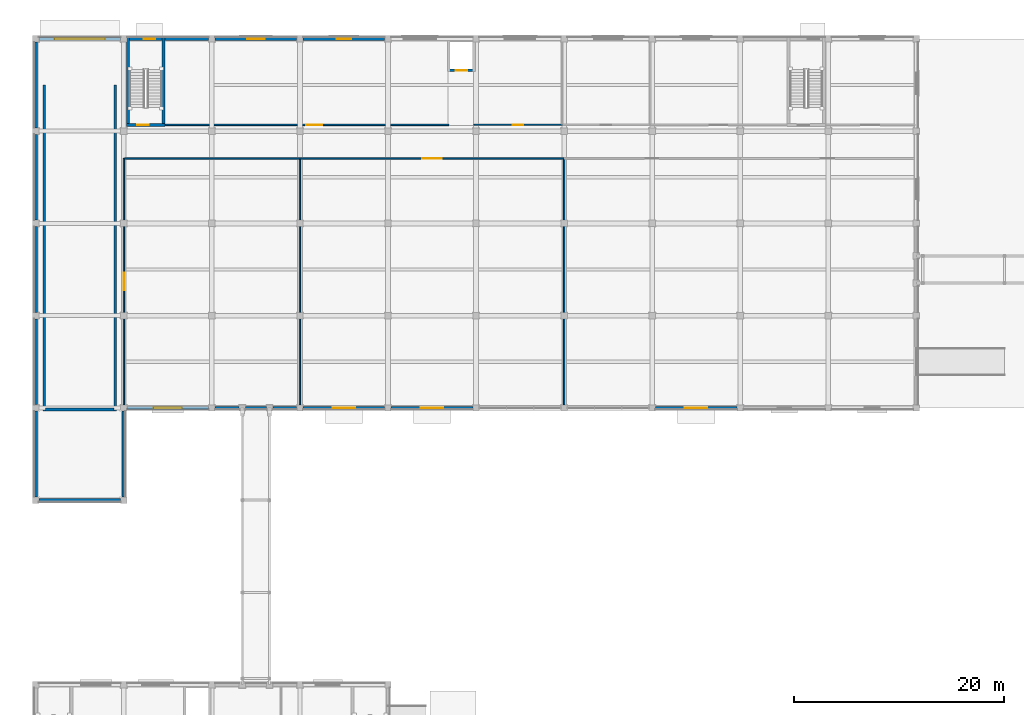
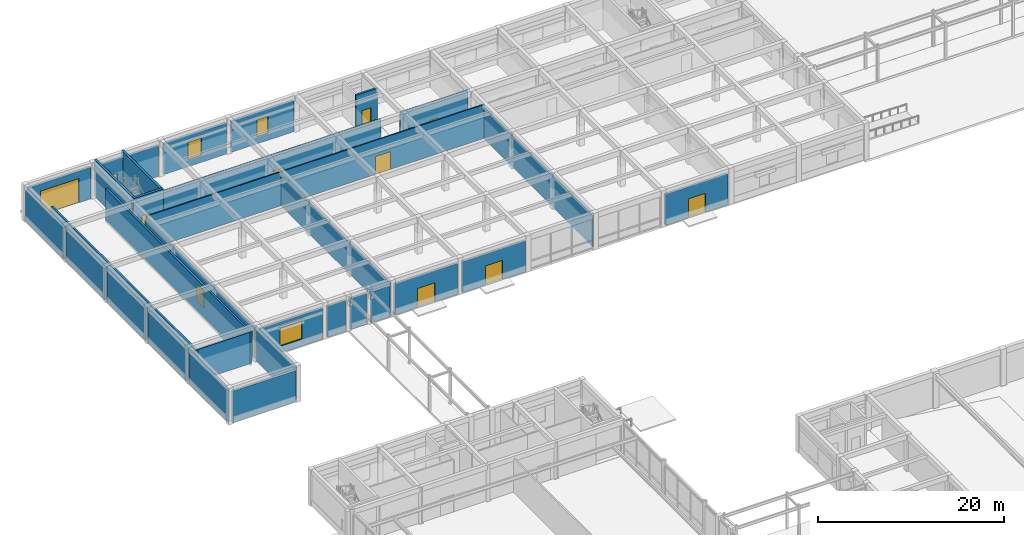
# One storey, part 35 of 58: 32 walls, 11 doors, 3 windows, 14 openings.
"""IFC4 building model written with IfcOpenShell, lengths in metres."""

from ifc_helpers import new_model, si_unit, direction, frame, frame_2d, origin, place, context, subcontext, project, spatial, rectangle, extrude, material, layer, layer_set, type_object, element, fill, save


model = new_model("IFC4")

# Units and contexts
model_context = context("Model", 3, precision=1e-05, world=origin(), true_north=direction((0.0, 1.0)))
body_context = subcontext(model_context, "Body", "Model", "MODEL_VIEW")
ifc_project = project(units=[si_unit("LENGTHUNIT", "METRE"), si_unit("AREAUNIT", "SQUARE_METRE"), si_unit("VOLUMEUNIT", "CUBIC_METRE"), si_unit("PLANEANGLEUNIT", "RADIAN"), si_unit("MASSUNIT", "GRAM", prefix="KILO")], contexts=[model_context])

# Site, building, storey
site_placement = place(None, origin())
site = spatial("IfcSite", under=ifc_project, at=site_placement, CompositionType="ELEMENT")
building_placement = place(site_placement, origin())
building = spatial("IfcBuilding", under=site, at=building_placement, Name="Kemercrest Conservatory and Botanical Centre", CompositionType="ELEMENT")
storey_placement = place(building_placement, origin())
storey = spatial("IfcBuildingStorey", under=building, at=storey_placement, Name="L00", CompositionType="ELEMENT", Elevation=0.0)

# Wall, opening, door
ifc_material_1 = material(Name="Precast concrete C40/50", Category="concrete")
ifc_layer_1 = layer(ifc_material_1, 0.300048828125)
ifc_layer_set_1 = layer_set([ifc_layer_1], Name="Precast concrete C40/50")
wall_type_1 = type_object("IfcWallType", Name="CW-EXT300", PredefinedType="SHEAR", material=ifc_layer_set_1)
wall_1_placement = place(storey_placement, frame((24.489990234375, 122.39990234375, 0.0), z_axis=(0.0, 0.0, 1.0), x_axis=(-1.0, 0.0, 0.0)))
wall_1 = element("IfcWall", 1, at=wall_1_placement, inside=storey, type_object=wall_type_1, Name="Exterior stair-core shear wall CW-EXT300 (WAL:L00:EXT-090)", PredefinedType="SHEAR", context=body_context, shape_type="SweptSolid", body=[
    extrude(rectangle(XDim=7.780029296875, YDim=0.300048828125, at=frame_2d((3.89013671875, 0.0))), origin(), (0.0, 0.0, 1.0), 4.050048828125),
])
opening_1_placement = place(wall_1_placement, frame((5.10009765625, 0.0, 0.0)))
opening_1 = element("IfcOpeningElement", 2, at=opening_1_placement, cuts=wall_1, Name="Opening ED028", PredefinedType="OPENING", context=body_context, shape_type="SweptSolid", body=[
    extrude(rectangle(XDim=1.10009765625, YDim=2.199951171875, at=frame_2d((0.550048828125, 1.10009765625))), frame((0.0, 0.16015625, 0.0), z_axis=(0.0, -1.0, 0.0), x_axis=(1.0, 0.0, 0.0)), (0.0, 0.0, 1.0), 0.320068359375),
])
ifc_material_2 = material(Name="Thermally broken bronze-anodized aluminium and laminated safety glass", Category="aluminium")
door_type_1 = type_object("IfcDoorType", Name="DT-E03", OperationType="NOTDEFINED", PredefinedType="DOOR", material=ifc_material_2)
door_1_placement = place(opening_1_placement, frame((1.10009765625, 0.0, 0.0), z_axis=(0.0, 0.0, 1.0), x_axis=(-1.0, 0.0, 0.0)))
door_1 = element("IfcDoor", 3, at=door_1_placement, inside=storey, type_object=door_type_1, Name="Exit Stair ST-V3A North Discharge Door", OperationType="SINGLE_SWING_LEFT", OverallHeight=2.199951171875, OverallWidth=1.10009765625, PredefinedType="DOOR", context=body_context, shape_type="SweptSolid", body=[
    extrude(rectangle(XDim=1.10009765625, YDim=2.199951171875, at=frame_2d((0.550048828125, 1.10009765625))), frame((0.0, 0.02490234375, 0.0), z_axis=(0.0, -1.0, 0.0), x_axis=(1.0, 0.0, 0.0)), (0.0, 0.0, 1.0), 0.050048828125),
])
fill(opening_1, door_1)

ifc_material_3 = material(Name="Concrete C50/60", Category="concrete")
ifc_layer_2 = layer(ifc_material_3, 0.300048828125)
ifc_layer_set_2 = layer_set([ifc_layer_2], Name="Concrete C50/60")
wall_type_2 = type_object("IfcWallType", Name="CW-STAIR", PredefinedType="SHEAR", material=ifc_layer_set_2)
wall_2_placement = place(storey_placement, frame((16.64990234375, 114.199951171875, 0.0), z_axis=(0.0, 0.0, 1.0), x_axis=(1.0, 0.0, 0.0)))
wall_2 = element("IfcWall", 4, at=wall_2_placement, inside=storey, type_object=wall_type_2, Name="Stair core ST-V3A shear wall S", PredefinedType="SHEAR", context=body_context, shape_type="SweptSolid", body=[
    extrude(rectangle(XDim=3.7001953125, YDim=0.300048828125, at=frame_2d((1.85009765625, 0.0))), origin(), (0.0, 0.0, 1.0), 4.800048828125),
])
opening_2_placement = place(wall_2_placement, frame((1.050048828125, 0.0, 0.0)))
opening_2 = element("IfcOpeningElement", 5, at=opening_2_placement, cuts=wall_2, Name="Opening D016", PredefinedType="OPENING", context=body_context, shape_type="SweptSolid", body=[
    extrude(rectangle(XDim=1.10009765625, YDim=2.199951171875, at=frame_2d((0.550048828125, 1.10009765625))), frame((0.0, 0.16015625, 0.0), z_axis=(0.0, -1.0, 0.0), x_axis=(1.0, 0.0, 0.0)), (0.0, 0.0, 1.0), 0.320068359375),
])
ifc_material_4 = material(Name="Powder-coated galvanized steel and fire-rated vision glass", Category="steel")
door_type_2 = type_object("IfcDoorType", Name="DT-FD90", OperationType="NOTDEFINED", PredefinedType="DOOR", material=ifc_material_4)
door_2_placement = place(opening_2_placement, origin())
door_2 = element("IfcDoor", 6, at=door_2_placement, inside=storey, type_object=door_type_2, Name="Exit stair ST-V3A fire door D016", OperationType="SINGLE_SWING_RIGHT", OverallHeight=2.199951171875, OverallWidth=1.10009765625, PredefinedType="DOOR", context=body_context, shape_type="SweptSolid", body=[
    extrude(rectangle(XDim=1.10009765625, YDim=2.199951171875, at=frame_2d((0.550048828125, 1.10009765625))), frame((0.0, 0.02490234375, 0.0), z_axis=(0.0, -1.0, 0.0), x_axis=(1.0, 0.0, 0.0)), (0.0, 0.0, 1.0), 0.050048828125),
])
fill(opening_2, door_2)

# Walls
for number, where, z_axis, x_axis, name in (
    (7, (16.800048828125, 114.050048828125, 0.0), (0.0, 0.0, 1.0), (0.0, 1.0, 0.0), "Stair core ST-V3A shear wall W"),
    (8, (20.199951171875, 114.050048828125, 0.0), (0.0, 0.0, 1.0), (0.0, 1.0, 0.0), "Stair core ST-V3A shear wall E"),
):
    element("IfcWall", number, at=place(storey_placement, frame(where, z_axis=z_axis, x_axis=x_axis)), inside=storey, type_object=wall_type_2, Name=name, PredefinedType="SHEAR", context=body_context, shape_type="SweptSolid", body=[
        extrude(rectangle(XDim=8.5, YDim=0.300048828125, at=frame_2d((4.25, 0.0))), origin(), (0.0, 0.0, 1.0), 4.800048828125),
    ])
ifc_layer_3 = layer(ifc_material_1, 0.300048828125)
ifc_layer_set_3 = layer_set([ifc_layer_3], Name="Precast concrete C40/50")
wall_type_3 = type_object("IfcWallType", Name="W-EXT300", PredefinedType="SOLIDWALL", material=ifc_layer_set_3)
wall_3_placement = place(storey_placement, frame((8.31005859375, 78.39990234375, 0.0), z_axis=(0.0, 0.0, 1.0), x_axis=(1.0, 0.0, 0.0)))
element("IfcWall", 9, at=wall_3_placement, inside=storey, type_object=wall_type_3, Name="Exterior almasik wall W-EXT300 (WAL:L00:RMP-068)", PredefinedType="SOLIDWALL", context=body_context, shape_type="SweptSolid", body=[
    extrude(rectangle(XDim=7.780029296875, YDim=0.300048828125, at=frame_2d((3.89013671875, 0.0))), origin(), (0.0, 0.0, 1.0), 4.14990234375),
])
for number, where, z_axis, x_axis, name in (
    (10, (16.39990234375, 78.7099609375, 0.0), (0.0, 0.0, 1.0), (0.0, 1.0, 0.0), "Exterior almasik wall W-EXT300 (WAL:L00:RMP-069)"),
    (11, (8.0, 86.889892578125, 0.0), (0.0, 0.0, 1.0), (0.0, -1.0, 0.0), "Exterior almasik wall W-EXT300 (WAL:L00:RMP-070)"),
):
    element("IfcWall", number, at=place(storey_placement, frame(where, z_axis=z_axis, x_axis=x_axis)), inside=storey, type_object=wall_type_3, Name=name, PredefinedType="SOLIDWALL", context=body_context, shape_type="SweptSolid", body=[
        extrude(rectangle(XDim=8.179931640625, YDim=0.300048828125, at=frame_2d((4.08984375, 0.0))), origin(), (0.0, 0.0, 1.0), 4.14990234375),
    ])

# Wall, opening, window
wall_4_placement = place(storey_placement, frame((16.7099609375, 87.199951171875, 0.0), z_axis=(0.0, 0.0, 1.0), x_axis=(1.0, 0.0, 0.0)))
wall_4 = element("IfcWall", 12, at=wall_4_placement, inside=storey, type_object=wall_type_3, Name="Exterior almasik wall W-EXT300 (WAL:L00:EXT-071)", PredefinedType="SOLIDWALL", context=body_context, shape_type="SweptSolid", body=[
    extrude(rectangle(XDim=7.780029296875, YDim=0.300048828125, at=frame_2d((3.89013671875, 0.0))), origin(), (0.0, 0.0, 1.0), 4.050048828125),
])
opening_3_placement = place(wall_4_placement, frame((2.5400390625, 0.0, 0.89990234375)))
opening_3 = element("IfcOpeningElement", 13, at=opening_3_placement, cuts=wall_4, Name="Opening WT-18", PredefinedType="OPENING", context=body_context, shape_type="SweptSolid", body=[
    extrude(rectangle(XDim=2.699951171875, YDim=2.35009765625, at=frame_2d((1.35009765625, 1.175048828125))), frame((0.0, 0.16015625, 0.0), z_axis=(0.0, -1.0, 0.0), x_axis=(1.0, 0.0, 0.0)), (0.0, 0.0, 1.0), 0.320068359375),
])
ifc_material_5 = material(Name="Thermally broken bronze-anodized aluminium and triple glazing", Category="aluminium")
window_type_1 = type_object("IfcWindowType", Name="WT-18", PartitioningType="SINGLE_PANEL", PredefinedType="WINDOW", material=ifc_material_5)
window_1_placement = place(opening_3_placement, origin())
window_1 = element("IfcWindow", 14, at=window_1_placement, inside=storey, type_object=window_type_1, Name="Exterior window WT-18 (WIN:L00:EXT-071)", OverallHeight=2.35009765625, OverallWidth=2.699951171875, PartitioningType="SINGLE_PANEL", PredefinedType="WINDOW", context=body_context, shape_type="SweptSolid", body=[
    extrude(rectangle(XDim=2.699951171875, YDim=2.35009765625, at=frame_2d((1.35009765625, 1.175048828125))), frame((0.0, 0.030029296875, 0.0), z_axis=(0.0, -1.0, 0.0), x_axis=(1.0, 0.0, 0.0)), (0.0, 0.0, 1.0), 0.06005859375),
])
fill(opening_3, window_1)

# Walls
wall_5_placement = place(storey_placement, frame((25.110107421875, 87.199951171875, 0.0), z_axis=(0.0, 0.0, 1.0), x_axis=(1.0, 0.0, 0.0)))
element("IfcWall", 15, at=wall_5_placement, inside=storey, type_object=wall_type_3, Name="Exterior almasik wall W-EXT300 (WAL:L00:EXT-072-S1)", PredefinedType="SOLIDWALL", context=body_context, shape_type="SweptSolid", body=[
    extrude(rectangle(XDim=2.27978515625, YDim=0.300048828125, at=frame_2d((1.139892578125, 0.0))), origin(), (0.0, 0.0, 1.0), 4.050048828125),
])
wall_6_placement = place(storey_placement, frame((28.010009765625, 87.199951171875, 0.0), z_axis=(0.0, 0.0, 1.0), x_axis=(1.0, 0.0, 0.0)))
element("IfcWall", 16, at=wall_6_placement, inside=storey, type_object=wall_type_3, Name="Exterior almasik wall W-EXT300 (WAL:L00:EXT-072-S2)", PredefinedType="SOLIDWALL", context=body_context, shape_type="SweptSolid", body=[
    extrude(rectangle(XDim=1.97998046875, YDim=0.300048828125, at=frame_2d((0.989990234375, 0.0))), origin(), (0.0, 0.0, 1.0), 4.050048828125),
])
wall_7_placement = place(storey_placement, frame((30.610107421875, 87.199951171875, 0.0), z_axis=(0.0, 0.0, 1.0), x_axis=(1.0, 0.0, 0.0)))
element("IfcWall", 17, at=wall_7_placement, inside=storey, type_object=wall_type_3, Name="Exterior almasik wall W-EXT300 (WAL:L00:EXT-072-S3)", PredefinedType="SOLIDWALL", context=body_context, shape_type="SweptSolid", body=[
    extrude(rectangle(XDim=2.27978515625, YDim=0.300048828125, at=frame_2d((1.139892578125, 0.0))), origin(), (0.0, 0.0, 1.0), 4.050048828125),
])

# Wall, opening, door
wall_8_placement = place(storey_placement, frame((33.510009765625, 87.199951171875, 0.0), z_axis=(0.0, 0.0, 1.0), x_axis=(1.0, 0.0, 0.0)))
wall_8 = element("IfcWall", 18, at=wall_8_placement, inside=storey, type_object=wall_type_3, Name="Exterior almasik wall W-EXT300 (WAL:L00:EXT-073)", PredefinedType="SOLIDWALL", context=body_context, shape_type="SweptSolid", body=[
    extrude(rectangle(XDim=7.780029296875, YDim=0.300048828125, at=frame_2d((3.89013671875, 0.0))), origin(), (0.0, 0.0, 1.0), 4.050048828125),
])
opening_4_placement = place(wall_8_placement, frame((2.81494140625, 0.0, 0.0)))
opening_4 = element("IfcOpeningElement", 19, at=opening_4_placement, cuts=wall_8, Name="Opening ED022", PredefinedType="OPENING", context=body_context, shape_type="SweptSolid", body=[
    extrude(rectangle(XDim=2.14990234375, YDim=2.5, at=frame_2d((1.074951171875, 1.25))), frame((0.0, 0.16015625, 0.0), z_axis=(0.0, -1.0, 0.0), x_axis=(1.0, 0.0, 0.0)), (0.0, 0.0, 1.0), 0.320068359375),
])
door_type_3 = type_object("IfcDoorType", Name="DT-E12", OperationType="DOUBLE_DOOR_SINGLE_SWING", PredefinedType="DOOR", material=ifc_material_2)
door_3_placement = place(opening_4_placement, frame((2.14990234375, 0.0, 0.0), z_axis=(0.0, 0.0, 1.0), x_axis=(-1.0, 0.0, 0.0)))
door_3 = element("IfcDoor", 20, at=door_3_placement, inside=storey, type_object=door_type_3, Name="Visitor Centre Forecourt Main Entrance Door", OperationType="DOUBLE_DOOR_SINGLE_SWING", OverallHeight=2.5, OverallWidth=2.14990234375, PredefinedType="DOOR", context=body_context, shape_type="SweptSolid", body=[
    extrude(rectangle(XDim=2.14990234375, YDim=2.5, at=frame_2d((1.074951171875, 1.25))), frame((0.0, 0.02490234375, 0.0), z_axis=(0.0, -1.0, 0.0), x_axis=(1.0, 0.0, 0.0)), (0.0, 0.0, 1.0), 0.050048828125),
])
fill(opening_4, door_3)

wall_9_placement = place(storey_placement, frame((41.909912109375, 87.199951171875, 0.0), z_axis=(0.0, 0.0, 1.0), x_axis=(1.0, 0.0, 0.0)))
wall_9 = element("IfcWall", 21, at=wall_9_placement, inside=storey, type_object=wall_type_3, Name="Exterior almasik wall W-EXT300 (WAL:L00:EXT-074)", PredefinedType="SOLIDWALL", context=body_context, shape_type="SweptSolid", body=[
    extrude(rectangle(XDim=7.780029296875, YDim=0.300048828125, at=frame_2d((3.89013671875, 0.0))), origin(), (0.0, 0.0, 1.0), 4.050048828125),
])
opening_5_placement = place(wall_9_placement, frame((2.81494140625, 0.0, 0.0)))
opening_5 = element("IfcOpeningElement", 22, at=opening_5_placement, cuts=wall_9, Name="Opening ED023", PredefinedType="OPENING", context=body_context, shape_type="SweptSolid", body=[
    extrude(rectangle(XDim=2.14990234375, YDim=2.5, at=frame_2d((1.074951171875, 1.25))), frame((0.0, 0.16015625, 0.0), z_axis=(0.0, -1.0, 0.0), x_axis=(1.0, 0.0, 0.0)), (0.0, 0.0, 1.0), 0.320068359375),
])
door_4_placement = place(opening_5_placement, frame((2.14990234375, 0.0, 0.0), z_axis=(0.0, 0.0, 1.0), x_axis=(-1.0, 0.0, 0.0)))
door_4 = element("IfcDoor", 23, at=door_4_placement, inside=storey, type_object=door_type_3, Name="Visitor Centre Forecourt Main Entrance Door", OperationType="DOUBLE_DOOR_SINGLE_SWING", OverallHeight=2.5, OverallWidth=2.14990234375, PredefinedType="DOOR", context=body_context, shape_type="SweptSolid", body=[
    extrude(rectangle(XDim=2.14990234375, YDim=2.5, at=frame_2d((1.074951171875, 1.25))), frame((0.0, 0.02490234375, 0.0), z_axis=(0.0, -1.0, 0.0), x_axis=(1.0, 0.0, 0.0)), (0.0, 0.0, 1.0), 0.050048828125),
])
fill(opening_5, door_4)

wall_10_placement = place(storey_placement, frame((67.110107421875, 87.199951171875, 0.0), z_axis=(0.0, 0.0, 1.0), x_axis=(1.0, 0.0, 0.0)))
wall_10 = element("IfcWall", 24, at=wall_10_placement, inside=storey, type_object=wall_type_3, Name="Exterior almasik wall W-EXT300 (WAL:L00:EXT-075)", PredefinedType="SOLIDWALL", context=body_context, shape_type="SweptSolid", body=[
    extrude(rectangle(XDim=7.77978515625, YDim=0.300048828125, at=frame_2d((3.889892578125, 0.0))), origin(), (0.0, 0.0, 1.0), 4.050048828125),
])
opening_6_placement = place(wall_10_placement, frame((2.81494140625, 0.0, 0.0)))
opening_6 = element("IfcOpeningElement", 25, at=opening_6_placement, cuts=wall_10, Name="Opening ED024", PredefinedType="OPENING", context=body_context, shape_type="SweptSolid", body=[
    extrude(rectangle(XDim=2.14990234375, YDim=2.5, at=frame_2d((1.074951171875, 1.25))), frame((0.0, 0.16015625, 0.0), z_axis=(0.0, -1.0, 0.0), x_axis=(1.0, 0.0, 0.0)), (0.0, 0.0, 1.0), 0.320068359375),
])
door_5_placement = place(opening_6_placement, frame((2.14990234375, 0.0, 0.0), z_axis=(0.0, 0.0, 1.0), x_axis=(-1.0, 0.0, 0.0)))
door_5 = element("IfcDoor", 26, at=door_5_placement, inside=storey, type_object=door_type_3, Name="Visitor Centre Forecourt Main Entrance Door", OperationType="DOUBLE_DOOR_SINGLE_SWING", OverallHeight=2.5, OverallWidth=2.14990234375, PredefinedType="DOOR", context=body_context, shape_type="SweptSolid", body=[
    extrude(rectangle(XDim=2.14990234375, YDim=2.5, at=frame_2d((1.074951171875, 1.25))), frame((0.0, 0.02490234375, 0.0), z_axis=(0.0, -1.0, 0.0), x_axis=(1.0, 0.0, 0.0)), (0.0, 0.0, 1.0), 0.050048828125),
])
fill(opening_6, door_5)

# Wall, opening, window
wall_11_placement = place(storey_placement, frame((41.2900390625, 122.39990234375, 0.0), z_axis=(0.0, 0.0, 1.0), x_axis=(-1.0, 0.0, 0.0)))
wall_11 = element("IfcWall", 27, at=wall_11_placement, inside=storey, type_object=wall_type_3, Name="Exterior almasik wall W-EXT300 (WAL:L00:EXT-088)", PredefinedType="SOLIDWALL", context=body_context, shape_type="SweptSolid", body=[
    extrude(rectangle(XDim=7.780029296875, YDim=0.300048828125, at=frame_2d((3.89013671875, 0.0))), origin(), (0.0, 0.0, 1.0), 4.050048828125),
])
opening_7_placement = place(wall_11_placement, frame((3.199951171875, 0.0, 0.89990234375)))
opening_7 = element("IfcOpeningElement", 28, at=opening_7_placement, cuts=wall_11, Name="Opening WT-41", PredefinedType="OPENING", context=body_context, shape_type="SweptSolid", body=[
    extrude(rectangle(XDim=1.3798828125, YDim=2.239990234375, at=frame_2d((0.68994140625, 1.1201171875))), frame((0.0, 0.16015625, 0.0), z_axis=(0.0, -1.0, 0.0), x_axis=(1.0, 0.0, 0.0)), (0.0, 0.0, 1.0), 0.320068359375),
])
window_type_2 = type_object("IfcWindowType", Name="WT-41", PartitioningType="SINGLE_PANEL", PredefinedType="WINDOW", material=ifc_material_5)
window_2_placement = place(opening_7_placement, origin())
window_2 = element("IfcWindow", 29, at=window_2_placement, inside=storey, type_object=window_type_2, Name="Exterior window WT-41 (WIN:L00:EXT-088)", OverallHeight=2.239990234375, OverallWidth=1.3798828125, PartitioningType="SINGLE_PANEL", PredefinedType="WINDOW", context=body_context, shape_type="SweptSolid", body=[
    extrude(rectangle(XDim=1.3798828125, YDim=2.239990234375, at=frame_2d((0.68994140625, 1.1201171875))), frame((0.0, 0.030029296875, 0.0), z_axis=(0.0, -1.0, 0.0), x_axis=(1.0, 0.0, 0.0)), (0.0, 0.0, 1.0), 0.06005859375),
])
fill(opening_7, window_2)

wall_12_placement = place(storey_placement, frame((32.889892578125, 122.39990234375, 0.0), z_axis=(0.0, 0.0, 1.0), x_axis=(-1.0, 0.0, 0.0)))
wall_12 = element("IfcWall", 30, at=wall_12_placement, inside=storey, type_object=wall_type_3, Name="Exterior almasik wall W-EXT300 (WAL:L00:EXT-089)", PredefinedType="SOLIDWALL", context=body_context, shape_type="SweptSolid", body=[
    extrude(rectangle(XDim=7.77978515625, YDim=0.300048828125, at=frame_2d((3.889892578125, 0.0))), origin(), (0.0, 0.0, 1.0), 4.050048828125),
])
opening_8_placement = place(wall_12_placement, frame((3.050048828125, 0.0, 0.89990234375)))
opening_8 = element("IfcOpeningElement", 31, at=opening_8_placement, cuts=wall_12, Name="Opening WT-42", PredefinedType="OPENING", context=body_context, shape_type="SweptSolid", body=[
    extrude(rectangle(XDim=1.679931640625, YDim=2.280029296875, at=frame_2d((0.83984375, 1.14013671875))), frame((0.0, 0.16015625, 0.0), z_axis=(0.0, -1.0, 0.0), x_axis=(1.0, 0.0, 0.0)), (0.0, 0.0, 1.0), 0.320068359375),
])
window_type_3 = type_object("IfcWindowType", Name="WT-42", PartitioningType="SINGLE_PANEL", PredefinedType="WINDOW", material=ifc_material_5)
window_3_placement = place(opening_8_placement, origin())
window_3 = element("IfcWindow", 32, at=window_3_placement, inside=storey, type_object=window_type_3, Name="Exterior window WT-42 (WIN:L00:EXT-089)", OverallHeight=2.280029296875, OverallWidth=1.679931640625, PartitioningType="SINGLE_PANEL", PredefinedType="WINDOW", context=body_context, shape_type="SweptSolid", body=[
    extrude(rectangle(XDim=1.679931640625, YDim=2.280029296875, at=frame_2d((0.83984375, 1.14013671875))), frame((0.0, 0.030029296875, 0.0), z_axis=(0.0, -1.0, 0.0), x_axis=(1.0, 0.0, 0.0)), (0.0, 0.0, 1.0), 0.06005859375),
])
fill(opening_8, window_3)

# Wall, opening, door
wall_13_placement = place(storey_placement, frame((16.090087890625, 122.39990234375, 0.0), z_axis=(0.0, 0.0, 1.0), x_axis=(-1.0, 0.0, 0.0)))
wall_13 = element("IfcWall", 33, at=wall_13_placement, inside=storey, type_object=wall_type_3, Name="Exterior almasik wall W-EXT300 (WAL:L00:EXT-091)", PredefinedType="SOLIDWALL", context=body_context, shape_type="SweptSolid", body=[
    extrude(rectangle(XDim=7.780029296875, YDim=0.300048828125, at=frame_2d((3.89013671875, 0.0))), origin(), (0.0, 0.0, 1.0), 4.14990234375),
])
opening_9_placement = place(wall_13_placement, frame((1.489990234375, 0.0, 0.0)))
opening_9 = element("IfcOpeningElement", 34, at=opening_9_placement, cuts=wall_13, Name="Opening VG-01", PredefinedType="OPENING", context=body_context, shape_type="SweptSolid", body=[
    extrude(rectangle(XDim=4.800048828125, YDim=3.199951171875, at=frame_2d((2.39990234375, 1.60009765625))), frame((0.0, 0.16015625, 0.0), z_axis=(0.0, -1.0, 0.0), x_axis=(1.0, 0.0, 0.0)), (0.0, 0.0, 1.0), 0.320068359375),
])
door_type_4 = type_object("IfcDoorType", Name="DT-E08", OperationType="ROLLINGUP", PredefinedType="GATE", material=ifc_material_2)
door_6_placement = place(opening_9_placement, frame((4.800048828125, 0.0, 0.0), z_axis=(0.0, 0.0, 1.0), x_axis=(-1.0, 0.0, 0.0)))
door_6 = element("IfcDoor", 35, at=door_6_placement, inside=storey, type_object=door_type_4, Name="Car Park Vehicle Roller Shutter Gate VG-01", OperationType="ROLLINGUP", OverallHeight=3.199951171875, OverallWidth=4.800048828125, PredefinedType="GATE", context=body_context, shape_type="SweptSolid", body=[
    extrude(rectangle(XDim=4.800048828125, YDim=3.199951171875, at=frame_2d((2.39990234375, 1.60009765625))), frame((0.0, 0.02490234375, 0.0), z_axis=(0.0, -1.0, 0.0), x_axis=(1.0, 0.0, 0.0)), (0.0, 0.0, 1.0), 0.050048828125),
])
fill(opening_9, door_6)

# Walls
wall_14_placement = place(storey_placement, frame((8.0, 122.090087890625, 0.0), z_axis=(0.0, 0.0, 1.0), x_axis=(0.0, -1.0, 0.0)))
element("IfcWall", 36, at=wall_14_placement, inside=storey, type_object=wall_type_3, Name="Exterior almasik wall W-EXT300 (WAL:L00:EXT-092)", PredefinedType="SOLIDWALL", context=body_context, shape_type="SweptSolid", body=[
    extrude(rectangle(XDim=8.18017578125, YDim=0.300048828125, at=frame_2d((4.090087890625, 0.0))), origin(), (0.0, 0.0, 1.0), 4.14990234375),
])
for number, where, z_axis, x_axis, name in (
    (37, (8.0, 113.2900390625, 0.0), (0.0, 0.0, 1.0), (0.0, -1.0, 0.0), "Exterior almasik wall W-EXT300 (WAL:L00:EXT-093)"),
    (38, (8.0, 104.489990234375, 0.0), (0.0, 0.0, 1.0), (0.0, -1.0, 0.0), "Exterior almasik wall W-EXT300 (WAL:L00:EXT-094)"),
    (39, (8.0, 95.68994140625, 0.0), (0.0, 0.0, 1.0), (0.0, -1.0, 0.0), "Exterior almasik wall W-EXT300 (WAL:L00:EXT-095)"),
):
    element("IfcWall", number, at=place(storey_placement, frame(where, z_axis=z_axis, x_axis=x_axis)), inside=storey, type_object=wall_type_3, Name=name, PredefinedType="SOLIDWALL", context=body_context, shape_type="SweptSolid", body=[
        extrude(rectangle(XDim=8.179931640625, YDim=0.300048828125, at=frame_2d((4.08984375, 0.0))), origin(), (0.0, 0.0, 1.0), 4.14990234375),
    ])

# Wall, opening, door
ifc_material_6 = material(Name="Moisture-resistant gypsum board partition", Category="gypsum")
ifc_layer_4 = layer(ifc_material_6, 0.125)
ifc_layer_set_4 = layer_set([ifc_layer_4], Name="Moisture-resistant gypsum board partition")
wall_type_4 = type_object("IfcWallType", Name="W-PART125", PredefinedType="PARTITIONING", material=ifc_layer_set_4)
wall_15_placement = place(storey_placement, frame((49.800048828125, 114.199951171875, 0.0), z_axis=(0.0, 0.0, 1.0), x_axis=(1.0, 0.0, 0.0)))
wall_15 = element("IfcWall", 40, at=wall_15_placement, inside=storey, type_object=wall_type_4, Name="Interior partition W-PART125 #32", PredefinedType="PARTITIONING", context=body_context, shape_type="SweptSolid", body=[
    extrude(rectangle(XDim=8.39990234375, YDim=0.125, at=frame_2d((4.199951171875, 0.0))), origin(), (0.0, 0.0, 1.0), 4.465087890625),
])
opening_10_placement = place(wall_15_placement, frame((3.7099609375, 0.0, 0.0)))
opening_10 = element("IfcOpeningElement", 41, at=opening_10_placement, cuts=wall_15, Name="Opening D127", PredefinedType="OPENING", context=body_context, shape_type="SweptSolid", body=[
    extrude(rectangle(XDim=0.97998046875, YDim=2.10009765625, at=frame_2d((0.489990234375, 1.050048828125))), frame((0.0, 0.072509765625, 0.0), z_axis=(0.0, -1.0, 0.0), x_axis=(1.0, 0.0, 0.0)), (0.0, 0.0, 1.0), 0.14501953125),
])
ifc_material_7 = material(Name="FSC solid-core white oak veneer and anodized aluminium frame", Category="aluminium")
door_type_5 = type_object("IfcDoorType", Name="DT-02", OperationType="NOTDEFINED", PredefinedType="DOOR", material=ifc_material_7)
door_7_placement = place(opening_10_placement, origin())
door_7 = element("IfcDoor", 42, at=door_7_placement, inside=storey, type_object=door_type_5, Name="Public Washroom door D127", OperationType="SINGLE_SWING_LEFT", OverallHeight=2.10009765625, OverallWidth=0.97998046875, PredefinedType="DOOR", context=body_context, shape_type="SweptSolid", body=[
    extrude(rectangle(XDim=0.97998046875, YDim=2.10009765625, at=frame_2d((0.489990234375, 1.050048828125))), frame((0.0, 0.02490234375, 0.0), z_axis=(0.0, -1.0, 0.0), x_axis=(1.0, 0.0, 0.0)), (0.0, 0.0, 1.0), 0.050048828125),
])
fill(opening_10, door_7)

ifc_material_8 = material(Name="Steel-stud gypsum board partition", Category="steel")
ifc_layer_5 = layer(ifc_material_8, 0.14990234375)
ifc_layer_set_5 = layer_set([ifc_layer_5], Name="Steel-stud gypsum board partition")
wall_type_5 = type_object("IfcWallType", Name="W-PART150", PredefinedType="PARTITIONING", material=ifc_layer_set_5)
wall_16_placement = place(storey_placement, frame((16.39990234375, 87.5, 0.0), z_axis=(0.0, 0.0, 1.0), x_axis=(0.0, 1.0, 0.0)))
wall_16 = element("IfcWall", 43, at=wall_16_placement, inside=storey, type_object=wall_type_5, Name="Interior partition W-PART150 #26", PredefinedType="PARTITIONING", context=body_context, shape_type="SweptSolid", body=[
    extrude(rectangle(XDim=23.5, YDim=0.14990234375, at=frame_2d((11.75, 0.0))), origin(), (0.0, 0.0, 1.0), 4.044921875),
])
opening_11_placement = place(wall_16_placement, frame((10.909912109375, 0.0, 0.0)))
opening_11 = element("IfcOpeningElement", 44, at=opening_11_placement, cuts=wall_16, Name="Opening D122", PredefinedType="OPENING", context=body_context, shape_type="SweptSolid", body=[
    extrude(rectangle(XDim=1.679931640625, YDim=2.300048828125, at=frame_2d((0.83984375, 1.14990234375))), frame((0.0, 0.0849609375, 0.0), z_axis=(0.0, -1.0, 0.0), x_axis=(1.0, 0.0, 0.0)), (0.0, 0.0, 1.0), 0.169921875),
])
door_type_6 = type_object("IfcDoorType", Name="DT-11", OperationType="DOUBLE_DOOR_SINGLE_SWING", PredefinedType="DOOR", material=ifc_material_7)
door_8_placement = place(opening_11_placement, origin())
door_8 = element("IfcDoor", 45, at=door_8_placement, inside=storey, type_object=door_type_6, Name="Botanical Cafe door D122", OperationType="DOUBLE_DOOR_SINGLE_SWING", OverallHeight=2.300048828125, OverallWidth=1.679931640625, PredefinedType="DOOR", context=body_context, shape_type="SweptSolid", body=[
    extrude(rectangle(XDim=1.679931640625, YDim=2.300048828125, at=frame_2d((0.83984375, 1.14990234375))), frame((0.0, 0.02490234375, 0.0), z_axis=(0.0, -1.0, 0.0), x_axis=(1.0, 0.0, 0.0)), (0.0, 0.0, 1.0), 0.050048828125),
])
fill(opening_11, door_8)

wall_17_placement = place(storey_placement, frame((33.199951171875, 111.0, 0.0), z_axis=(0.0, 0.0, 1.0), x_axis=(1.0, 0.0, 0.0)))
wall_17 = element("IfcWall", 46, at=wall_17_placement, inside=storey, type_object=wall_type_5, Name="Interior partition W-PART150 #27", PredefinedType="PARTITIONING", context=body_context, shape_type="SweptSolid", body=[
    extrude(rectangle(XDim=25.199951171875, YDim=0.14990234375, at=frame_2d((12.60009765625, 0.0))), origin(), (0.0, 0.0, 1.0), 4.465087890625),
])
opening_12_placement = place(wall_17_placement, frame((11.659912109375, 0.0, 0.0)))
opening_12 = element("IfcOpeningElement", 47, at=opening_12_placement, cuts=wall_17, Name="Opening D123", PredefinedType="OPENING", context=body_context, shape_type="SweptSolid", body=[
    extrude(rectangle(XDim=1.8798828125, YDim=2.35009765625, at=frame_2d((0.93994140625, 1.175048828125))), frame((0.0, 0.0849609375, 0.0), z_axis=(0.0, -1.0, 0.0), x_axis=(1.0, 0.0, 0.0)), (0.0, 0.0, 1.0), 0.169921875),
])
door_type_7 = type_object("IfcDoorType", Name="DT-13", OperationType="DOUBLE_DOOR_SINGLE_SWING", PredefinedType="DOOR", material=ifc_material_7)
door_9_placement = place(opening_12_placement, origin())
door_9 = element("IfcDoor", 48, at=door_9_placement, inside=storey, type_object=door_type_7, Name="Visitor Centre door D123", OperationType="DOUBLE_DOOR_SINGLE_SWING", OverallHeight=2.35009765625, OverallWidth=1.8798828125, PredefinedType="DOOR", context=body_context, shape_type="SweptSolid", body=[
    extrude(rectangle(XDim=1.8798828125, YDim=2.35009765625, at=frame_2d((0.93994140625, 1.175048828125))), frame((0.0, 0.02490234375, 0.0), z_axis=(0.0, -1.0, 0.0), x_axis=(1.0, 0.0, 0.0)), (0.0, 0.0, 1.0), 0.050048828125),
])
fill(opening_12, door_9)

# Wall
wall_18_placement = place(storey_placement, frame((16.47998046875, 111.0, 0.0), z_axis=(0.0, 0.0, 1.0), x_axis=(1.0, 0.0, 0.0)))
element("IfcWall", 49, at=wall_18_placement, inside=storey, type_object=wall_type_5, Name="Interior partition W-PART150 #28", PredefinedType="PARTITIONING", context=body_context, shape_type="SweptSolid", body=[
    extrude(rectangle(XDim=16.719970703125, YDim=0.14990234375, at=frame_2d((8.35986328125, 0.0))), origin(), (0.0, 0.0, 1.0), 4.465087890625),
])

# Wall, opening, door
wall_19_placement = place(storey_placement, frame((20.35498046875, 114.199951171875, 0.0), z_axis=(0.0, 0.0, 1.0), x_axis=(1.0, 0.0, 0.0)))
wall_19 = element("IfcWall", 50, at=wall_19_placement, inside=storey, type_object=wall_type_5, Name="Interior partition W-PART150 #31", PredefinedType="PARTITIONING", context=body_context, shape_type="SweptSolid", body=[
    extrude(rectangle(XDim=27.044921875, YDim=0.14990234375, at=frame_2d((13.5224609375, 0.0))), origin(), (0.0, 0.0, 1.0), 4.465087890625),
])
opening_13_placement = place(wall_19_placement, frame((13.46240234375, 0.0, 0.0)))
opening_13 = element("IfcOpeningElement", 51, at=opening_13_placement, cuts=wall_19, Name="Opening D126", PredefinedType="OPENING", context=body_context, shape_type="SweptSolid", body=[
    extrude(rectangle(XDim=1.52001953125, YDim=2.280029296875, at=frame_2d((0.760009765625, 1.14013671875))), frame((0.0, 0.0849609375, 0.0), z_axis=(0.0, -1.0, 0.0), x_axis=(1.0, 0.0, 0.0)), (0.0, 0.0, 1.0), 0.169921875),
])
door_type_8 = type_object("IfcDoorType", Name="DT-20", OperationType="DOUBLE_DOOR_SINGLE_SWING", PredefinedType="DOOR", material=ifc_material_7)
door_10_placement = place(opening_13_placement, origin())
door_10 = element("IfcDoor", 52, at=door_10_placement, inside=storey, type_object=door_type_8, Name="Botanical Orientation Gallery door D126", OperationType="DOUBLE_DOOR_SINGLE_SWING", OverallHeight=2.280029296875, OverallWidth=1.52001953125, PredefinedType="DOOR", context=body_context, shape_type="SweptSolid", body=[
    extrude(rectangle(XDim=1.52001953125, YDim=2.280029296875, at=frame_2d((0.760009765625, 1.14013671875))), frame((0.0, 0.02490234375, 0.0), z_axis=(0.0, -1.0, 0.0), x_axis=(1.0, 0.0, 0.0)), (0.0, 0.0, 1.0), 0.050048828125),
])
fill(opening_13, door_10)

# Walls
for number, where, z_axis, x_axis, name in (
    (53, (33.199951171875, 87.5, 0.0), (0.0, 0.0, 1.0), (0.0, 1.0, 0.0), "Interior partition W-PART150 #53"),
    (54, (58.39990234375, 87.5, 0.0), (0.0, 0.0, 1.0), (0.0, 1.0, 0.0), "Interior partition W-PART150 #54"),
):
    element("IfcWall", number, at=place(storey_placement, frame(where, z_axis=z_axis, x_axis=x_axis)), inside=storey, type_object=wall_type_5, Name=name, PredefinedType="PARTITIONING", context=body_context, shape_type="SweptSolid", body=[
        extrude(rectangle(XDim=23.419921875, YDim=0.14990234375, at=frame_2d((11.7099609375, 0.0))), origin(), (0.0, 0.0, 1.0), 4.044921875),
    ])

# Wall, opening, door
ifc_material_9 = material(Name="Concrete C40/50", Category="concrete")
ifc_layer_6 = layer(ifc_material_9, 0.25)
ifc_layer_set_6 = layer_set([ifc_layer_6], Name="Concrete C40/50")
wall_type_6 = type_object("IfcWallType", Name="W-SHFT250", PredefinedType="SOLIDWALL", material=ifc_layer_set_6)
wall_20_placement = place(storey_placement, frame((47.27490234375, 119.39990234375, 0.0), z_axis=(0.0, 0.0, 1.0), x_axis=(1.0, 0.0, 0.0)))
wall_20 = element("IfcWall", 55, at=wall_20_placement, inside=storey, type_object=wall_type_6, Name="Elevator LF-V3 shaft wall south", PredefinedType="SOLIDWALL", context=body_context, shape_type="SweptSolid", body=[
    extrude(rectangle(XDim=2.650146484375, YDim=0.25, at=frame_2d((1.3251953125, 0.0))), origin(), (0.0, 0.0, 1.0), 4.47998046875),
])
opening_14_placement = place(wall_20_placement, frame((0.77490234375, 0.0, 0.0)))
opening_14 = element("IfcOpeningElement", 56, at=opening_14_placement, cuts=wall_20, Name="Opening LD-101", PredefinedType="OPENING", context=body_context, shape_type="SweptSolid", body=[
    extrude(rectangle(XDim=1.10009765625, YDim=2.199951171875, at=frame_2d((0.550048828125, 1.10009765625))), frame((0.0, 0.135009765625, 0.0), z_axis=(0.0, -1.0, 0.0), x_axis=(1.0, 0.0, 0.0)), (0.0, 0.0, 1.0), 0.27001953125),
])
door_type_9 = type_object("IfcDoorType", Name="DT-LD01", OperationType="SLIDING_TO_LEFT", PredefinedType="DOOR", material=ifc_material_4)
door_11_placement = place(opening_14_placement, origin())
door_11 = element("IfcDoor", 57, at=door_11_placement, inside=storey, type_object=door_type_9, Name="Elevator LF-V3 sliding landing door LD-101", OperationType="SLIDING_TO_LEFT", OverallHeight=2.199951171875, OverallWidth=1.10009765625, PredefinedType="DOOR", context=body_context, shape_type="SweptSolid", body=[
    extrude(rectangle(XDim=1.10009765625, YDim=2.199951171875, at=frame_2d((0.550048828125, 1.10009765625))), frame((0.0, 0.02490234375, 0.0), z_axis=(0.0, -1.0, 0.0), x_axis=(1.0, 0.0, 0.0)), (0.0, 0.0, 1.0), 0.050048828125),
])
fill(opening_14, door_11)

# Walls
ifc_layer_7 = layer(ifc_material_9, 0.25)
ifc_layer_set_7 = layer_set([ifc_layer_7], Name="Concrete C40/50")
wall_type_7 = type_object("IfcWallType", Name="W-VRMP250", PredefinedType="SOLIDWALL", material=ifc_layer_set_7)
for number, where, z_axis, x_axis, name in (
    (58, (8.824951171875, 86.925048828125, -0.280029296875), (0.0, 0.0, 1.0), (0.0, 1.0, 0.0), "Ground level vehicle ramp R1 interior enclosure wall W"),
    (59, (15.574951171875, 86.925048828125, -0.280029296875), (0.0, 0.0, 1.0), (0.0, 1.0, 0.0), "Ground level vehicle ramp R1 interior enclosure wall E"),
):
    element("IfcWall", number, at=place(storey_placement, frame(where, z_axis=z_axis, x_axis=x_axis)), inside=storey, type_object=wall_type_7, Name=name, PredefinedType="SOLIDWALL", context=body_context, shape_type="SweptSolid", body=[
        extrude(rectangle(XDim=31.074951171875, YDim=0.25, at=frame_2d((15.53759765625, 0.0))), origin(), (0.0, 0.0, 1.0), 4.419921875),
    ])
wall_21_placement = place(storey_placement, frame((8.949951171875, 87.050048828125, 0.0), z_axis=(0.0, 0.0, 1.0), x_axis=(1.0, 0.0, 0.0)))
element("IfcWall", 60, at=wall_21_placement, inside=storey, type_object=wall_type_7, Name="Vehicle ramp R1 south headwall", PredefinedType="SOLIDWALL", context=body_context, shape_type="SweptSolid", body=[
    extrude(rectangle(XDim=6.5, YDim=0.25, at=frame_2d((3.25, 0.0))), origin(), (0.0, 0.0, 1.0), 4.139892578125),
])

save(model, "model.ifc")
